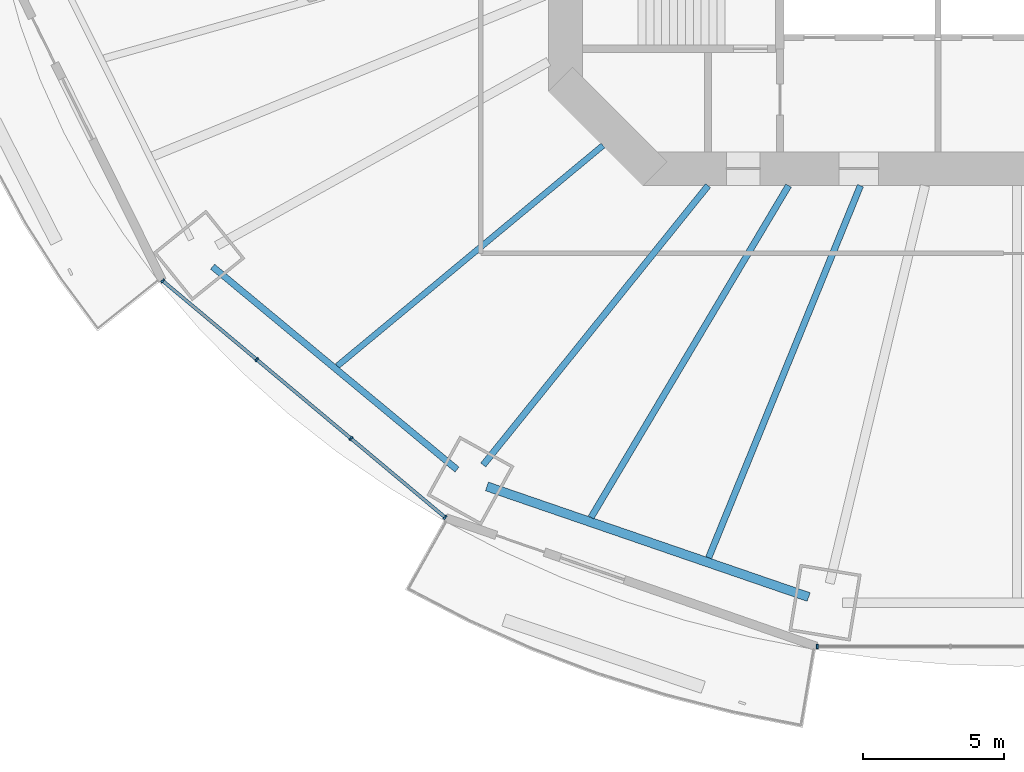
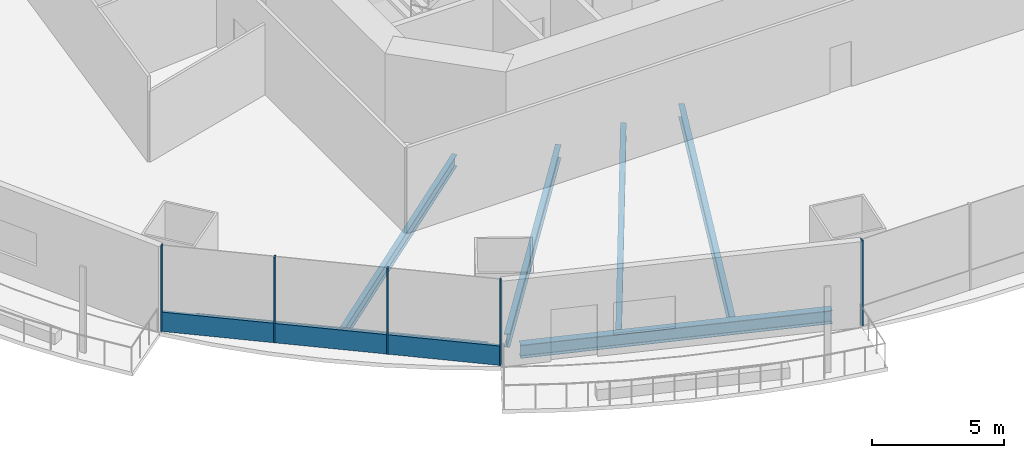
# One storey, part 2 of 23: 6 beams, 6 members, 2 elements without a shape of their own.
"""IFC4 building model written with IfcOpenShell, lengths in metres."""

from ifc_helpers import new_model, si_unit, direction, frame, origin, origin_2d, place, context, subcontext, project, spatial, rectangle, i_section, extrude, material, material_profile, profile_set, type_object, element, aggregate, save


model = new_model("IFC4")

# Units and contexts
model_context = context("Model", 3, precision=1e-05, world=origin(), true_north=direction((0.0, 1.0)))
body_context = subcontext(model_context, "Body", "Model", "MODEL_VIEW")
ifc_project = project(units=[si_unit("LENGTHUNIT", "METRE"), si_unit("AREAUNIT", "SQUARE_METRE"), si_unit("VOLUMEUNIT", "CUBIC_METRE"), si_unit("PLANEANGLEUNIT", "RADIAN"), si_unit("MASSUNIT", "GRAM", prefix="KILO")], contexts=[model_context])

# Site, building, storey
site_placement = place(None, origin())
site = spatial("IfcSite", under=ifc_project, at=site_placement, CompositionType="ELEMENT")
building_placement = place(site_placement, origin())
building = spatial("IfcBuilding", under=site, at=building_placement, Name="Marenthal Gate Tower", CompositionType="ELEMENT")
storey_placement = place(building_placement, frame((0.0, 0.0, 45.449951171875)))
storey = spatial("IfcBuildingStorey", under=building, at=storey_placement, Name="L07", CompositionType="ELEMENT", Elevation=45.449951171875)

# Curtain wall, members
ifc_material_1 = material(Name="Aluminium and glass", Category="aluminium")
curtain_wall_type = type_object("IfcCurtainWallType", Name="Curtain wall typical low", PredefinedType="NOTDEFINED", material=ifc_material_1)
curtain_wall_1_placement = place(storey_placement, origin())
curtain_wall_1 = element("IfcCurtainWall", 1, at=curtain_wall_1_placement, inside=storey, type_object=curtain_wall_type, Name="Curtain wall L07 bay 10", PredefinedType="NOTDEFINED")
ifc_material_2 = material(Name="Aluminium", Category="aluminium")
ifc_material_profile_1 = material_profile(ifc_material_2, rectangle(XDim=0.159912109375, YDim=0.06005859375, at=origin_2d()), Name="60x160 aluminium mullion")
ifc_profile_set_1 = profile_set([ifc_material_profile_1], Name="Aluminium")
member_type_1 = type_object("IfcMemberType", Name="Mullion 60x160 typical low", PredefinedType="MULLION", material=ifc_profile_set_1)
member_1_placement = place(storey_placement, frame((-30.274169921875, -16.972412109375, 0.0), z_axis=(0.0, 0.0, 1.0), x_axis=(0.642047277641, 0.766665046336, 0.0)))
member_1 = element("IfcMember", 2, at=member_1_placement, type_object=member_type_1, Name="Mullion L07 bay 10.1", PredefinedType="MULLION", context=body_context, shape_type="SweptSolid", body=[
    extrude(rectangle(XDim=0.159912109375, YDim=0.06005859375, at=origin_2d()), origin(), (0.0, 0.0, 1.0), 3.969970703125),
])
member_2_placement = place(storey_placement, frame((-26.938232421875, -19.76611328125, 0.0), z_axis=(0.0, 0.0, 1.0), x_axis=(0.642047277641, 0.766665046336, 0.0)))
member_2 = element("IfcMember", 3, at=member_2_placement, type_object=member_type_1, Name="Mullion L07 bay 10.2", PredefinedType="MULLION", context=body_context, shape_type="SweptSolid", body=[
    extrude(rectangle(XDim=0.159912109375, YDim=0.06005859375, at=origin_2d()), origin(), (0.0, 0.0, 1.0), 3.969970703125),
])
member_3_placement = place(storey_placement, frame((-23.6025390625, -22.5595703125, 0.0), z_axis=(0.0, 0.0, 1.0), x_axis=(0.642047277641, 0.766665046336, 0.0)))
member_3 = element("IfcMember", 4, at=member_3_placement, type_object=member_type_1, Name="Mullion L07 bay 10.3", PredefinedType="MULLION", context=body_context, shape_type="SweptSolid", body=[
    extrude(rectangle(XDim=0.159912109375, YDim=0.06005859375, at=origin_2d()), origin(), (0.0, 0.0, 1.0), 3.969970703125),
])
member_4_placement = place(storey_placement, frame((-20.266845703125, -25.35302734375, 0.0), z_axis=(0.0, 0.0, 1.0), x_axis=(0.642047277641, 0.766665046336, 0.0)))
member_4 = element("IfcMember", 5, at=member_4_placement, type_object=member_type_1, Name="Mullion L07 bay 10.4", PredefinedType="MULLION", context=body_context, shape_type="SweptSolid", body=[
    extrude(rectangle(XDim=0.159912109375, YDim=0.06005859375, at=origin_2d()), origin(), (0.0, 0.0, 1.0), 3.969970703125),
])

# Curtain wall, member
curtain_wall_2_placement = place(storey_placement, origin())
curtain_wall_2 = element("IfcCurtainWall", 6, at=curtain_wall_2_placement, inside=storey, type_object=curtain_wall_type, Name="Curtain wall L07 bay 12", PredefinedType="NOTDEFINED")
member_5_placement = place(storey_placement, frame((-7.07861328125, -29.9287109375, 0.0), z_axis=(0.0, 0.0, 1.0), x_axis=(0.0, 1.0, 0.0)))
member_5 = element("IfcMember", 7, at=member_5_placement, type_object=member_type_1, Name="Mullion L07 bay 12.1", PredefinedType="MULLION", context=body_context, shape_type="SweptSolid", body=[
    extrude(rectangle(XDim=0.159912109375, YDim=0.06005859375, at=origin_2d()), origin(), (0.0, 0.0, 1.0), 3.969970703125),
])
aggregate(curtain_wall_2, [member_5])

# Member
ifc_material_3 = material(Name="Aluminium", Category="aluminium")
ifc_material_profile_2 = material_profile(ifc_material_3, rectangle(XDim=0.1201171875, YDim=0.89990234375, at=origin_2d()), Name="120x900 aluminium transom")
ifc_profile_set_2 = profile_set([ifc_material_profile_2], Name="Aluminium")
member_type_2 = type_object("IfcMemberType", Name="Transom 120x900 typical low", PredefinedType="USERDEFINED", material=ifc_profile_set_2)
member_6_placement = place(storey_placement, frame((-30.251220703125, -16.99169921875, 0.449951171875), z_axis=(0.766672707648, -0.6420381292, 0.0), x_axis=(0.6420381292, 0.766672707648, 0.0)))
member_6 = element("IfcMember", 8, at=member_6_placement, type_object=member_type_2, Name="Transom L07 bay 10", ObjectType="TRANSOM", PredefinedType="USERDEFINED", context=body_context, shape_type="SweptSolid", body=[
    extrude(rectangle(XDim=0.1201171875, YDim=0.89990234375, at=origin_2d()), origin(), (0.0, 0.0, 1.0), 12.9931640625),
])

aggregate(curtain_wall_1, [member_1, member_2, member_3, member_4, member_6])

# Beams
ifc_material_4 = material(Name="Steel S355", Category="steel")
ifc_material_profile_3 = material_profile(ifc_material_4, i_section(OverallWidth=0.2119140625, OverallDepth=0.5439453125, WebThickness=0.01318359375, FlangeThickness=0.021240234375, FilletRadius=0.0126953125, at=origin_2d()), Name="W530X123")
ifc_profile_set_3 = profile_set([ifc_material_profile_3], Name="Steel S355")
beam_type_1 = type_object("IfcBeamType", Name="W530X123 beam", PredefinedType="BEAM", material=ifc_profile_set_3)
beam_1_placement = place(storey_placement, frame((-24.085205078125, -19.99267578125, -0.451904296875), z_axis=(0.769446518411, 0.638711245639, 0.0), x_axis=(-0.638711245639, 0.769446518411, 0.0)))
element("IfcBeam", 9, at=beam_1_placement, inside=storey, type_object=beam_type_1, Name="BM-L07-31", PredefinedType="BEAM", context=body_context, shape_type="SweptSolid", body=[
    extrude(i_section(OverallWidth=0.2119140625, OverallDepth=0.5439453125, WebThickness=0.01318359375, FlangeThickness=0.021240234375, FilletRadius=0.0126953125, at=origin_2d()), origin(), (0.0, 0.0, 1.0), 12.235595703125),
])
ifc_material_5 = material(Name="Steel S355", Category="steel")
ifc_material_profile_4 = material_profile(ifc_material_5, i_section(OverallWidth=0.22900390625, OverallDepth=0.612060546875, WebThickness=0.011962890625, FlangeThickness=0.01953125, FilletRadius=0.0126953125, at=origin_2d()), Name="W610X125")
ifc_profile_set_4 = profile_set([ifc_material_profile_4], Name="Steel S355")
beam_type_2 = type_object("IfcBeamType", Name="W610X125 beam", PredefinedType="BEAM", material=ifc_profile_set_4)
beam_2_placement = place(storey_placement, frame((-18.916015625, -23.49951171875, -0.48583984375), z_axis=(0.627042105716, 0.778985364214, 0.0), x_axis=(-0.778985364214, 0.627042105716, 0.0)))
element("IfcBeam", 10, at=beam_2_placement, inside=storey, type_object=beam_type_2, Name="BM-L07-11", PredefinedType="BEAM", context=body_context, shape_type="SweptSolid", body=[
    extrude(i_section(OverallWidth=0.22900390625, OverallDepth=0.612060546875, WebThickness=0.011962890625, FlangeThickness=0.01953125, FilletRadius=0.0126953125, at=origin_2d()), origin(), (0.0, 0.0, 1.0), 12.7080078125),
])
beam_3_placement = place(storey_placement, frame((-15.0927734375, -25.356201171875, -0.48583984375), z_axis=(0.511477271469, 0.859296805982, 0.0), x_axis=(-0.859296805982, 0.511477271469, 0.0)))
element("IfcBeam", 11, at=beam_3_placement, inside=storey, type_object=beam_type_2, Name="BM-L07-32", PredefinedType="BEAM", context=body_context, shape_type="SweptSolid", body=[
    extrude(i_section(OverallWidth=0.22900390625, OverallDepth=0.612060546875, WebThickness=0.011962890625, FlangeThickness=0.01953125, FilletRadius=0.0126953125, at=origin_2d()), origin(), (0.0, 0.0, 1.0), 13.68115234375),
])
beam_4_placement = place(storey_placement, frame((-10.927490234375, -26.7880859375, -0.48583984375), z_axis=(0.377703578377, 0.925926566679, 0.0), x_axis=(-0.925926566679, 0.377703578377, 0.0)))
element("IfcBeam", 12, at=beam_4_placement, inside=storey, type_object=beam_type_2, Name="BM-L07-33", PredefinedType="BEAM", context=body_context, shape_type="SweptSolid", body=[
    extrude(i_section(OverallWidth=0.22900390625, OverallDepth=0.612060546875, WebThickness=0.011962890625, FlangeThickness=0.01953125, FilletRadius=0.0126953125, at=origin_2d()), origin(), (0.0, 0.0, 1.0), 14.242919921875),
])
beam_5_placement = place(storey_placement, frame((-28.50439453125, -16.472900390625, -0.48583984375), z_axis=(0.76943582663, -0.638724125658, 0.0), x_axis=(0.638724125658, 0.76943582663, 0.0)))
element("IfcBeam", 13, at=beam_5_placement, inside=storey, type_object=beam_type_2, Name="BM-L07-50", PredefinedType="BEAM", context=body_context, shape_type="SweptSolid", body=[
    extrude(i_section(OverallWidth=0.22900390625, OverallDepth=0.612060546875, WebThickness=0.011962890625, FlangeThickness=0.01953125, FilletRadius=0.0126953125, at=origin_2d()), origin(), (0.0, 0.0, 1.0), 11.257080078125),
])
ifc_material_6 = material(Name="Steel S355", Category="steel")
ifc_material_profile_5 = material_profile(ifc_material_6, i_section(OverallWidth=0.324951171875, OverallDepth=0.612060546875, WebThickness=0.0126953125, FlangeThickness=0.01904296875, FilletRadius=0.0126953125, at=origin_2d()), Name="W610X155")
ifc_profile_set_5 = profile_set([ifc_material_profile_5], Name="Steel S355")
beam_type_3 = type_object("IfcBeamType", Name="W610X155 beam", PredefinedType="BEAM", material=ifc_profile_set_5)
beam_6_placement = place(storey_placement, frame((-18.782470703125, -24.25927734375, -0.48583984375), z_axis=(0.945659940371, -0.325157311431, 0.0), x_axis=(0.325157311431, 0.945659940371, 0.0)))
element("IfcBeam", 14, at=beam_6_placement, inside=storey, type_object=beam_type_3, Name="BM-L07-51", PredefinedType="BEAM", context=body_context, shape_type="SweptSolid", body=[
    extrude(i_section(OverallWidth=0.324951171875, OverallDepth=0.612060546875, WebThickness=0.0126953125, FlangeThickness=0.01904296875, FilletRadius=0.0126953125, at=origin_2d()), origin(), (0.0, 0.0, 1.0), 12.0546875),
])

save(model, "model.ifc")
